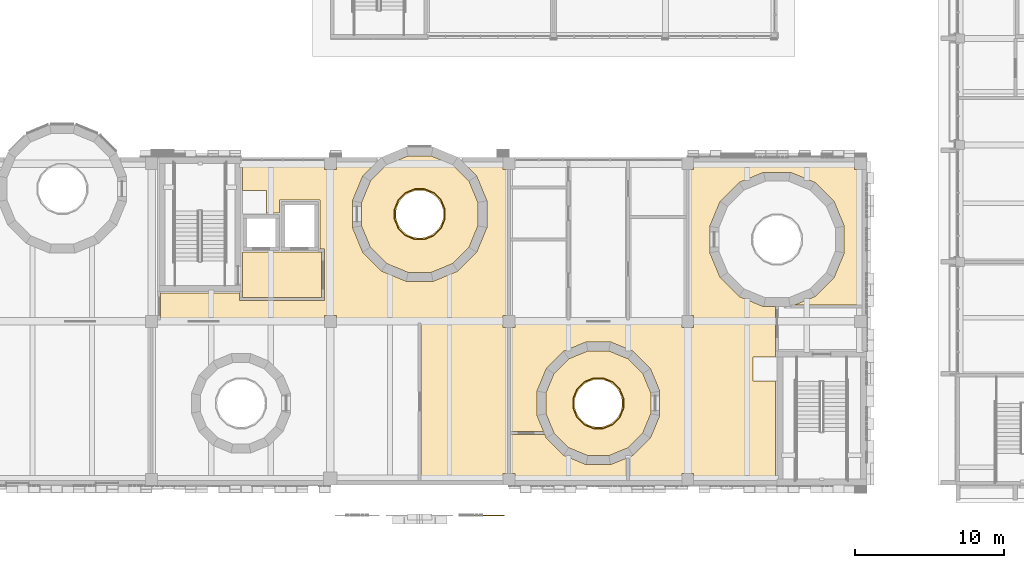
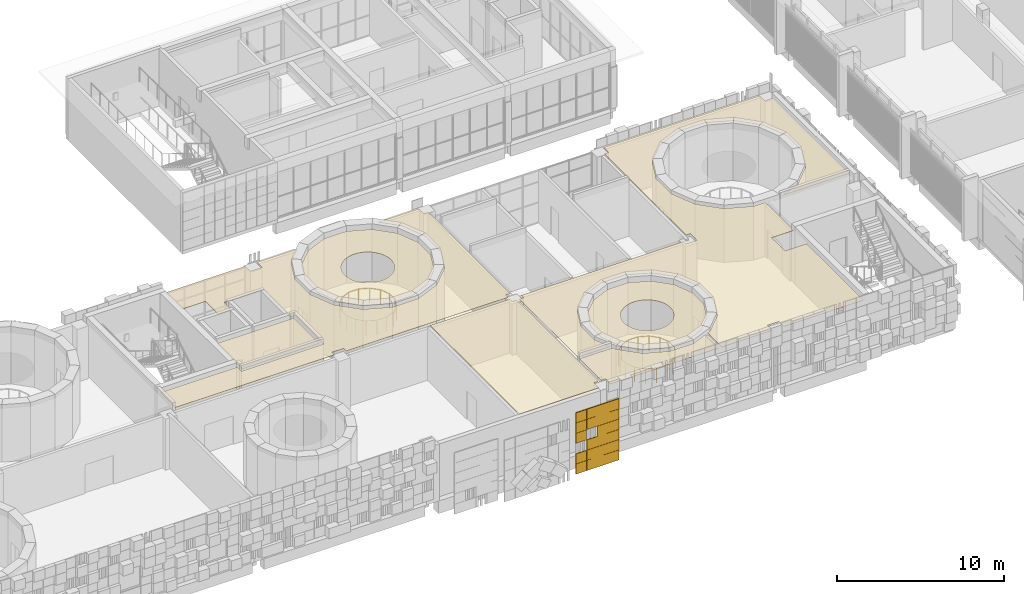
# One storey, part 65 of 92: 8 coverings, 2 railings.
"""IFC4 building model written with IfcOpenShell, lengths in metres."""

from ifc_helpers import new_model, si_unit, direction, frame, origin, origin_2d, place, context, subcontext, project, spatial, polyline, rectangle, circle, outline, extrude, material, layer, layer_set, type_object, element, save


model = new_model("IFC4")

# Units and contexts
model_context = context("Model", 3, precision=1e-05, world=origin(), true_north=direction((0.0, 1.0)))
body_context = subcontext(model_context, "Body", "Model", "MODEL_VIEW")
ifc_project = project(units=[si_unit("LENGTHUNIT", "METRE"), si_unit("AREAUNIT", "SQUARE_METRE"), si_unit("VOLUMEUNIT", "CUBIC_METRE"), si_unit("PLANEANGLEUNIT", "RADIAN"), si_unit("MASSUNIT", "GRAM", prefix="KILO")], contexts=[model_context])

# Site, building, storey
site_placement = place(None, origin())
site = spatial("IfcSite", under=ifc_project, at=site_placement, CompositionType="ELEMENT")
building_placement = place(site_placement, origin())
building = spatial("IfcBuilding", under=site, at=building_placement, Name="Sun Court Science Centre", CompositionType="ELEMENT")
storey_placement = place(building_placement, frame((0.0, 0.0, 11.25)))
storey = spatial("IfcBuildingStorey", under=building, at=storey_placement, Name="L02", CompositionType="ELEMENT", Elevation=11.25)

# Coverings
ifc_material_1 = material(Name="Gypsum board")
ifc_layer_1 = layer(ifc_material_1, 0.030029296875)
ifc_layer_set_1 = layer_set([ifc_layer_1], Name="Gypsum board")
covering_type_1 = type_object("IfcCoveringType", Name="Ceiling suspended 600 module", PredefinedType="CEILING", material=ifc_layer_set_1)
covering_1_placement = place(storey_placement, frame((0.0, 0.0, 3.77001953125)))
element("IfcCovering", 1, at=covering_1_placement, inside=storey, type_object=covering_type_1, Name="L02-004 ceiling", PredefinedType="CEILING", context=body_context, shape_type="SweptSolid", body=[
    extrude(outline(polyline([(45.316162109375, 21.984130859375), (44.2158203125, 20.8837890625), (42.778076171875, 20.288330078125), (41.221923828125, 20.288330078125), (39.7841796875, 20.8837890625), (38.683837890625, 21.984130859375), (38.08837890625, 23.421875), (38.08837890625, 24.97802734375), (38.683837890625, 26.415771484375), (39.7841796875, 27.51611328125), (41.221923828125, 28.111572265625), (42.778076171875, 28.111572265625), (44.2158203125, 27.51611328125), (45.316162109375, 26.415771484375), (45.91162109375, 24.97802734375), (45.91162109375, 23.421875), (45.316162109375, 21.984130859375)]), holes=[polyline([(43.478271484375, 24.812255859375), (43.385498046875, 25.0), (43.269287109375, 25.174072265625), (43.13134765625, 25.331298828125), (42.97412109375, 25.469482421875), (42.800048828125, 25.585693359375), (42.6123046875, 25.67822265625), (42.4140625, 25.74560546875), (42.208740234375, 25.786376953125), (42.0, 25.800048828125), (41.791259765625, 25.786376953125), (41.5859375, 25.74560546875), (41.3876953125, 25.67822265625), (41.199951171875, 25.585693359375), (41.02587890625, 25.469482421875), (40.86865234375, 25.331298828125), (40.730712890625, 25.174072265625), (40.614501953125, 25.0), (40.521728515625, 24.812255859375), (40.45458984375, 24.614013671875), (40.413818359375, 24.40869140625), (40.39990234375, 24.199951171875), (40.413818359375, 23.9912109375), (40.45458984375, 23.785888671875), (40.521728515625, 23.587646484375), (40.614501953125, 23.39990234375), (40.730712890625, 23.22607421875), (40.86865234375, 23.068603515625), (41.02587890625, 22.9306640625), (41.199951171875, 22.814453125), (41.3876953125, 22.7216796875), (41.5859375, 22.654541015625), (41.791259765625, 22.61376953125), (42.0, 22.60009765625), (42.208740234375, 22.61376953125), (42.4140625, 22.654541015625), (42.6123046875, 22.7216796875), (42.800048828125, 22.814453125), (42.97412109375, 22.9306640625), (43.13134765625, 23.068603515625), (43.269287109375, 23.22607421875), (43.385498046875, 23.39990234375), (43.478271484375, 23.587646484375), (43.54541015625, 23.785888671875), (43.586181640625, 23.9912109375), (43.60009765625, 24.199951171875), (43.586181640625, 24.40869140625), (43.54541015625, 24.614013671875), (43.478271484375, 24.812255859375)])]), origin(), (0.0, 0.0, 1.0), 0.030029296875),
])
covering_2_placement = place(storey_placement, frame((0.0, 0.0, 3.77001953125)))
element("IfcCovering", 2, at=covering_2_placement, inside=storey, type_object=covering_type_1, Name="L02-005 ceiling", PredefinedType="CEILING", context=body_context, shape_type="SweptSolid", body=[
    extrude(outline(polyline([(56.9833984375, 9.506591796875), (55.993408203125, 8.5166015625), (54.699951171875, 7.980712890625), (53.300048828125, 7.980712890625), (52.006591796875, 8.5166015625), (51.0166015625, 9.506591796875), (50.480712890625, 10.800048828125), (50.480712890625, 12.199951171875), (51.0166015625, 13.493408203125), (52.006591796875, 14.4833984375), (53.300048828125, 15.019287109375), (54.699951171875, 15.019287109375), (55.993408203125, 14.4833984375), (56.9833984375, 13.493408203125), (57.519287109375, 12.199951171875), (57.519287109375, 10.800048828125), (56.9833984375, 9.506591796875)]), holes=[polyline([(55.478271484375, 12.1123046875), (55.385498046875, 12.300048828125), (55.269287109375, 12.47412109375), (55.13134765625, 12.63134765625), (54.97412109375, 12.769287109375), (54.800048828125, 12.885498046875), (54.6123046875, 12.978271484375), (54.4140625, 13.04541015625), (54.208740234375, 13.086181640625), (54.0, 13.10009765625), (53.791259765625, 13.086181640625), (53.5859375, 13.04541015625), (53.3876953125, 12.978271484375), (53.199951171875, 12.885498046875), (53.02587890625, 12.769287109375), (52.86865234375, 12.63134765625), (52.730712890625, 12.47412109375), (52.614501953125, 12.300048828125), (52.521728515625, 12.1123046875), (52.45458984375, 11.9140625), (52.413818359375, 11.708740234375), (52.39990234375, 11.5), (52.413818359375, 11.291259765625), (52.45458984375, 11.0859375), (52.521728515625, 10.8876953125), (52.614501953125, 10.699951171875), (52.730712890625, 10.52587890625), (52.86865234375, 10.36865234375), (53.02587890625, 10.230712890625), (53.199951171875, 10.114501953125), (53.3876953125, 10.021728515625), (53.5859375, 9.95458984375), (53.791259765625, 9.913818359375), (54.0, 9.89990234375), (54.208740234375, 9.913818359375), (54.4140625, 9.95458984375), (54.6123046875, 10.021728515625), (54.800048828125, 10.114501953125), (54.97412109375, 10.230712890625), (55.13134765625, 10.36865234375), (55.269287109375, 10.52587890625), (55.385498046875, 10.699951171875), (55.478271484375, 10.8876953125), (55.54541015625, 11.0859375), (55.586181640625, 11.291259765625), (55.60009765625, 11.5), (55.586181640625, 11.708740234375), (55.54541015625, 11.9140625), (55.478271484375, 12.1123046875)])]), origin(), (0.0, 0.0, 1.0), 0.030029296875),
])
covering_3_placement = place(storey_placement, frame((0.0, 0.0, 3.919921875)))
element("IfcCovering", 3, at=covering_3_placement, inside=storey, type_object=covering_type_1, Name="L02-017 ceiling", PredefinedType="CEILING", context=body_context, shape_type="SweptSolid", body=[
    extrude(outline(polyline([(42.10009765625, 6.199951171875), (42.10009765625, 16.89990234375), (47.60009765625, 16.89990234375), (47.60009765625, 16.60009765625), (47.89990234375, 16.60009765625), (47.89990234375, 6.800048828125), (47.60009765625, 6.800048828125), (47.60009765625, 6.199951171875), (42.10009765625, 6.199951171875)])), origin(), (0.0, 0.0, 1.0), 0.030029296875),
])
covering_4_placement = place(storey_placement, frame((0.0, 0.0, 3.919921875)))
element("IfcCovering", 4, at=covering_4_placement, inside=storey, type_object=covering_type_1, Name="L02-018 ceiling", PredefinedType="CEILING", context=body_context, shape_type="SweptSolid", body=[
    extrude(outline(polyline([(30.10009765625, 18.60009765625), (30.10009765625, 21.6474609375), (32.672607421875, 21.6474609375), (32.672607421875, 21.64990234375), (35.39990234375, 21.64990234375), (35.39990234375, 18.60009765625), (30.10009765625, 18.60009765625)])), origin(), (0.0, 0.0, 1.0), 0.030029296875),
])
covering_5_placement = place(storey_placement, frame((0.0, 0.0, 3.919921875)))
element("IfcCovering", 5, at=covering_5_placement, inside=storey, type_object=covering_type_1, Name="L02-019 ceiling", PredefinedType="CEILING", context=body_context, shape_type="SweptSolid", body=[
    extrude(outline(polyline([(39.219482421875, 27.800048828125), (38.17529296875, 26.755615234375), (37.48828125, 25.097412109375), (37.48828125, 23.302490234375), (38.17529296875, 21.644287109375), (39.4443359375, 20.375244140625), (41.1025390625, 19.6884765625), (42.8974609375, 19.6884765625), (44.5556640625, 20.375244140625), (45.82470703125, 21.644287109375), (46.51171875, 23.302490234375), (46.51171875, 25.097412109375), (45.82470703125, 26.755615234375), (44.780517578125, 27.800048828125), (47.60009765625, 27.800048828125), (47.60009765625, 27.199951171875), (47.89990234375, 27.199951171875), (47.89990234375, 17.39990234375), (47.60009765625, 17.39990234375), (47.60009765625, 17.10009765625), (36.39990234375, 17.10009765625), (36.39990234375, 17.39990234375), (35.60009765625, 17.39990234375), (35.60009765625, 17.10009765625), (24.60009765625, 17.10009765625), (24.60009765625, 18.89990234375), (29.89990234375, 18.89990234375), (29.89990234375, 18.39990234375), (35.60009765625, 18.39990234375), (35.60009765625, 21.85009765625), (35.300048828125, 21.85009765625), (35.300048828125, 25.14990234375), (32.60009765625, 25.14990234375), (32.60009765625, 24.2724609375), (31.699951171875, 24.2724609375), (31.699951171875, 25.800048828125), (30.10009765625, 25.800048828125), (30.10009765625, 27.800048828125), (35.60009765625, 27.800048828125), (35.60009765625, 27.199951171875), (36.39990234375, 27.199951171875), (36.39990234375, 27.800048828125), (39.219482421875, 27.800048828125)])), origin(), (0.0, 0.0, 1.0), 0.030029296875),
])
covering_6_placement = place(storey_placement, frame((0.0, 0.0, 3.919921875)))
element("IfcCovering", 6, at=covering_6_placement, inside=storey, type_object=covering_type_1, Name="L02-026 ceiling", PredefinedType="CEILING", context=body_context, shape_type="SweptSolid", body=[
    extrude(outline(polyline([(71.800048828125, 27.199951171875), (71.800048828125, 18.10009765625), (67.1669921875, 18.10009765625), (68.5556640625, 18.67529296875), (69.82470703125, 19.9443359375), (70.51171875, 21.6025390625), (70.51171875, 23.3974609375), (69.82470703125, 25.0556640625), (68.5556640625, 26.32470703125), (66.8974609375, 27.01171875), (65.1025390625, 27.01171875), (63.4443359375, 26.32470703125), (62.17529296875, 25.0556640625), (61.48828125, 23.3974609375), (61.48828125, 21.6025390625), (62.17529296875, 19.9443359375), (63.4443359375, 18.67529296875), (65.1025390625, 17.98828125), (65.89990234375, 17.98828125), (65.89990234375, 14.60009765625), (64.39990234375, 14.60009765625), (64.39990234375, 13.0), (65.89990234375, 13.0), (65.89990234375, 6.199951171875), (60.39990234375, 6.199951171875), (60.39990234375, 6.800048828125), (59.60009765625, 6.800048828125), (59.60009765625, 6.199951171875), (56.10009765625, 6.199951171875), (56.10009765625, 7.9111328125), (56.33349609375, 8.0078125), (57.4921875, 9.16650390625), (58.119384765625, 10.6806640625), (58.119384765625, 12.3193359375), (57.4921875, 13.83349609375), (56.33349609375, 14.9921875), (54.8193359375, 15.619384765625), (53.1806640625, 15.619384765625), (51.66650390625, 14.9921875), (50.5078125, 13.83349609375), (49.880615234375, 12.3193359375), (49.880615234375, 10.6806640625), (50.328369140625, 9.60009765625), (48.10009765625, 9.60009765625), (48.10009765625, 16.60009765625), (48.39990234375, 16.60009765625), (48.39990234375, 16.89990234375), (59.60009765625, 16.89990234375), (59.60009765625, 16.60009765625), (60.39990234375, 16.60009765625), (60.39990234375, 17.39990234375), (60.10009765625, 17.39990234375), (60.10009765625, 27.199951171875), (60.39990234375, 27.199951171875), (60.39990234375, 27.800048828125), (71.199951171875, 27.800048828125), (71.199951171875, 27.199951171875), (71.800048828125, 27.199951171875)])), origin(), (0.0, 0.0, 1.0), 0.030029296875),
])
covering_7_placement = place(storey_placement, frame((0.0, 0.0, 3.919921875)))
element("IfcCovering", 7, at=covering_7_placement, inside=storey, type_object=covering_type_1, Name="L02-027 ceiling", PredefinedType="CEILING", context=body_context, shape_type="SweptSolid", body=[
    extrude(outline(polyline([(48.10009765625, 6.800048828125), (48.10009765625, 9.39990234375), (50.4111328125, 9.39990234375), (50.5078125, 9.16650390625), (51.66650390625, 8.0078125), (53.1806640625, 7.380615234375), (54.8193359375, 7.380615234375), (55.89990234375, 7.828369140625), (55.89990234375, 6.199951171875), (48.39990234375, 6.199951171875), (48.39990234375, 6.800048828125), (48.10009765625, 6.800048828125)])), origin(), (0.0, 0.0, 1.0), 0.030029296875),
])

# Railings
ifc_material_2 = material(Name="Steel S275", Category="steel")
railing_type = type_object("IfcRailingType", Name="Guard 1100 well balustrade", PredefinedType="GUARDRAIL", material=ifc_material_2)
railing_1_placement = place(storey_placement, frame((43.68701171875, 24.53564453125, 0.0)))
element("IfcRailing", 8, at=railing_1_placement, inside=storey, type_object=railing_type, Name="C4 well guard L02", PredefinedType="GUARDRAIL", context=body_context, shape_type="SweptSolid", body=[
    extrude(circle(Radius=0.02392578125, at=origin_2d()), frame((0.0, 0.0, 1.076171875), z_axis=(-0.382780256271, 0.923839420792, 0.0), x_axis=(-0.923839420792, -0.382780256271, 0.0)), (0.0, 0.0, 1.0), 0.6708984375),
    extrude(circle(Radius=0.02392578125, at=origin_2d()), frame((-0.2568359375, 0.619873046875, 1.076171875), z_axis=(-0.707106781187, 0.707106781187, 0.0), x_axis=(-0.707106781187, -0.707106781187, 0.0)), (0.0, 0.0, 1.0), 0.671142578125),
    extrude(circle(Radius=0.02392578125, at=origin_2d()), frame((-0.7314453125, 1.094482421875, 1.076171875), z_axis=(-0.923892706888, 0.382651625058, 0.0), x_axis=(-0.382651625058, -0.923892706888, 0.0)), (0.0, 0.0, 1.0), 0.671142578125),
    extrude(circle(Radius=0.02392578125, at=origin_2d()), frame((-1.3515625, 1.351318359375, 1.076171875), z_axis=(-1.0, 0.0, 0.0), x_axis=(0.0, -1.0, 0.0)), (0.0, 0.0, 1.0), 0.6708984375),
    extrude(circle(Radius=0.02392578125, at=origin_2d()), frame((-2.0224609375, 1.351318359375, 1.076171875), z_axis=(-0.923892706888, -0.382651625058, 0.0), x_axis=(0.382651625058, -0.923892706888, 0.0)), (0.0, 0.0, 1.0), 0.671142578125),
    extrude(circle(Radius=0.02392578125, at=origin_2d()), frame((-2.642578125, 1.094482421875, 1.076171875), z_axis=(-0.707106781187, -0.707106781187, 0.0), x_axis=(0.707106781187, -0.707106781187, 0.0)), (0.0, 0.0, 1.0), 0.671142578125),
    extrude(circle(Radius=0.02392578125, at=origin_2d()), frame((-3.1171875, 0.619873046875, 1.076171875), z_axis=(-0.382780256271, -0.923839420792, 0.0), x_axis=(0.923839420792, -0.382780256271, 0.0)), (0.0, 0.0, 1.0), 0.6708984375),
    extrude(circle(Radius=0.02392578125, at=origin_2d()), frame((-3.3740234375, 0.0, 1.076171875), z_axis=(0.0, -1.0, 0.0), x_axis=(1.0, 0.0, 0.0)), (0.0, 0.0, 1.0), 0.671142578125),
    extrude(circle(Radius=0.02392578125, at=origin_2d()), frame((-3.3740234375, -0.671142578125, 1.076171875), z_axis=(0.382651625058, -0.923892706888, 0.0), x_axis=(0.923892706888, 0.382651625058, 0.0)), (0.0, 0.0, 1.0), 0.671142578125),
    extrude(circle(Radius=0.02392578125, at=origin_2d()), frame((-3.1171875, -1.291259765625, 1.076171875), z_axis=(0.707106781187, -0.707106781187, 0.0), x_axis=(0.707106781187, 0.707106781187, 0.0)), (0.0, 0.0, 1.0), 0.671142578125),
    extrude(circle(Radius=0.02392578125, at=origin_2d()), frame((-2.642578125, -1.765869140625, 1.076171875), z_axis=(0.923892706888, -0.382651625058, 0.0), x_axis=(0.382651625058, 0.923892706888, 0.0)), (0.0, 0.0, 1.0), 0.671142578125),
    extrude(circle(Radius=0.02392578125, at=origin_2d()), frame((-2.0224609375, -2.022705078125, 1.076171875), z_axis=(1.0, 0.0, 0.0), x_axis=(0.0, 1.0, 0.0)), (0.0, 0.0, 1.0), 0.6708984375),
    extrude(circle(Radius=0.02392578125, at=origin_2d()), frame((-1.3515625, -2.022705078125, 1.076171875), z_axis=(0.923892706888, 0.382651625058, 0.0), x_axis=(-0.382651625058, 0.923892706888, 0.0)), (0.0, 0.0, 1.0), 0.671142578125),
    extrude(circle(Radius=0.02392578125, at=origin_2d()), frame((-0.7314453125, -1.765869140625, 1.076171875), z_axis=(0.707106781187, 0.707106781187, 0.0), x_axis=(-0.707106781187, 0.707106781187, 0.0)), (0.0, 0.0, 1.0), 0.671142578125),
    extrude(circle(Radius=0.02392578125, at=origin_2d()), frame((-0.2568359375, -1.291259765625, 1.076171875), z_axis=(0.382651625058, 0.923892706888, 0.0), x_axis=(-0.923892706888, 0.382651625058, 0.0)), (0.0, 0.0, 1.0), 0.671142578125),
    extrude(circle(Radius=0.02392578125, at=origin_2d()), frame((0.0, -0.671142578125, 1.076171875), z_axis=(0.0, 1.0, 0.0), x_axis=(-1.0, 0.0, 0.0)), (0.0, 0.0, 1.0), 0.671142578125),
    extrude(circle(Radius=0.02099609375, at=origin_2d()), origin(), (0.0, 0.0, 1.0), 1.052001953125),
    extrude(circle(Radius=0.02099609375, at=origin_2d()), frame((-0.2568359375, 0.619873046875, 0.0)), (0.0, 0.0, 1.0), 1.052001953125),
    extrude(circle(Radius=0.02099609375, at=origin_2d()), frame((-0.7314453125, 1.094482421875, 0.0)), (0.0, 0.0, 1.0), 1.052001953125),
    extrude(circle(Radius=0.02099609375, at=origin_2d()), frame((-1.3515625, 1.351318359375, 0.0)), (0.0, 0.0, 1.0), 1.052001953125),
    extrude(circle(Radius=0.02099609375, at=origin_2d()), frame((-2.0224609375, 1.351318359375, 0.0)), (0.0, 0.0, 1.0), 1.052001953125),
    extrude(circle(Radius=0.02099609375, at=origin_2d()), frame((-2.642578125, 1.094482421875, 0.0)), (0.0, 0.0, 1.0), 1.052001953125),
    extrude(circle(Radius=0.02099609375, at=origin_2d()), frame((-3.1171875, 0.619873046875, 0.0)), (0.0, 0.0, 1.0), 1.052001953125),
    extrude(circle(Radius=0.02099609375, at=origin_2d()), frame((-3.3740234375, 0.0, 0.0)), (0.0, 0.0, 1.0), 1.052001953125),
    extrude(circle(Radius=0.02099609375, at=origin_2d()), frame((-3.3740234375, -0.671142578125, 0.0)), (0.0, 0.0, 1.0), 1.052001953125),
    extrude(circle(Radius=0.02099609375, at=origin_2d()), frame((-3.1171875, -1.291259765625, 0.0)), (0.0, 0.0, 1.0), 1.052001953125),
    extrude(circle(Radius=0.02099609375, at=origin_2d()), frame((-2.642578125, -1.765869140625, 0.0)), (0.0, 0.0, 1.0), 1.052001953125),
    extrude(circle(Radius=0.02099609375, at=origin_2d()), frame((-2.0224609375, -2.022705078125, 0.0)), (0.0, 0.0, 1.0), 1.052001953125),
    extrude(circle(Radius=0.02099609375, at=origin_2d()), frame((-1.3515625, -2.022705078125, 0.0)), (0.0, 0.0, 1.0), 1.052001953125),
    extrude(circle(Radius=0.02099609375, at=origin_2d()), frame((-0.7314453125, -1.765869140625, 0.0)), (0.0, 0.0, 1.0), 1.052001953125),
    extrude(circle(Radius=0.02099609375, at=origin_2d()), frame((-0.2568359375, -1.291259765625, 0.0)), (0.0, 0.0, 1.0), 1.052001953125),
    extrude(circle(Radius=0.02099609375, at=origin_2d()), frame((0.0, -0.671142578125, 0.0)), (0.0, 0.0, 1.0), 1.052001953125),
])
railing_2_placement = place(storey_placement, frame((55.68701171875, 11.83544921875, 0.0)))
element("IfcRailing", 9, at=railing_2_placement, inside=storey, type_object=railing_type, Name="C5 well guard L02", PredefinedType="GUARDRAIL", context=body_context, shape_type="SweptSolid", body=[
    extrude(circle(Radius=0.02392578125, at=origin_2d()), frame((0.0, 0.0, 1.076171875), z_axis=(-0.382651625058, 0.923892706888, 0.0), x_axis=(-0.923892706888, -0.382651625058, 0.0)), (0.0, 0.0, 1.0), 0.671142578125),
    extrude(circle(Radius=0.02392578125, at=origin_2d()), frame((-0.2568359375, 0.6201171875, 1.076171875), z_axis=(-0.707106781187, 0.707106781187, 0.0), x_axis=(-0.707106781187, -0.707106781187, 0.0)), (0.0, 0.0, 1.0), 0.671142578125),
    extrude(circle(Radius=0.02392578125, at=origin_2d()), frame((-0.7314453125, 1.0947265625, 1.076171875), z_axis=(-0.923892706888, 0.382651625058, 0.0), x_axis=(-0.382651625058, -0.923892706888, 0.0)), (0.0, 0.0, 1.0), 0.671142578125),
    extrude(circle(Radius=0.02392578125, at=origin_2d()), frame((-1.3515625, 1.3515625, 1.076171875), z_axis=(-1.0, 0.0, 0.0), x_axis=(0.0, -1.0, 0.0)), (0.0, 0.0, 1.0), 0.6708984375),
    extrude(circle(Radius=0.02392578125, at=origin_2d()), frame((-2.0224609375, 1.3515625, 1.076171875), z_axis=(-0.923892706888, -0.382651625058, 0.0), x_axis=(0.382651625058, -0.923892706888, 0.0)), (0.0, 0.0, 1.0), 0.671142578125),
    extrude(circle(Radius=0.02392578125, at=origin_2d()), frame((-2.642578125, 1.0947265625, 1.076171875), z_axis=(-0.707106781187, -0.707106781187, 0.0), x_axis=(0.707106781187, -0.707106781187, 0.0)), (0.0, 0.0, 1.0), 0.671142578125),
    extrude(circle(Radius=0.02392578125, at=origin_2d()), frame((-3.1171875, 0.6201171875, 1.076171875), z_axis=(-0.382651625058, -0.923892706888, 0.0), x_axis=(0.923892706888, -0.382651625058, 0.0)), (0.0, 0.0, 1.0), 0.671142578125),
    extrude(circle(Radius=0.02392578125, at=origin_2d()), frame((-3.3740234375, 0.0, 1.076171875), z_axis=(0.0, -1.0, 0.0), x_axis=(1.0, 0.0, 0.0)), (0.0, 0.0, 1.0), 0.6708984375),
    extrude(circle(Radius=0.02392578125, at=origin_2d()), frame((-3.3740234375, -0.6708984375, 1.076171875), z_axis=(0.382651625058, -0.923892706888, 0.0), x_axis=(0.923892706888, 0.382651625058, 0.0)), (0.0, 0.0, 1.0), 0.671142578125),
    extrude(circle(Radius=0.02392578125, at=origin_2d()), frame((-3.1171875, -1.291015625, 1.076171875), z_axis=(0.707106781187, -0.707106781187, 0.0), x_axis=(0.707106781187, 0.707106781187, 0.0)), (0.0, 0.0, 1.0), 0.671142578125),
    extrude(circle(Radius=0.02392578125, at=origin_2d()), frame((-2.642578125, -1.765625, 1.076171875), z_axis=(0.923892706888, -0.382651625058, 0.0), x_axis=(0.382651625058, 0.923892706888, 0.0)), (0.0, 0.0, 1.0), 0.671142578125),
    extrude(circle(Radius=0.02392578125, at=origin_2d()), frame((-2.0224609375, -2.0224609375, 1.076171875), z_axis=(1.0, 0.0, 0.0), x_axis=(0.0, 1.0, 0.0)), (0.0, 0.0, 1.0), 0.6708984375),
    extrude(circle(Radius=0.02392578125, at=origin_2d()), frame((-1.3515625, -2.0224609375, 1.076171875), z_axis=(0.923892706888, 0.382651625058, 0.0), x_axis=(-0.382651625058, 0.923892706888, 0.0)), (0.0, 0.0, 1.0), 0.671142578125),
    extrude(circle(Radius=0.02392578125, at=origin_2d()), frame((-0.7314453125, -1.765625, 1.076171875), z_axis=(0.707106781187, 0.707106781187, 0.0), x_axis=(-0.707106781187, 0.707106781187, 0.0)), (0.0, 0.0, 1.0), 0.671142578125),
    extrude(circle(Radius=0.02392578125, at=origin_2d()), frame((-0.2568359375, -1.291015625, 1.076171875), z_axis=(0.382651625058, 0.923892706888, 0.0), x_axis=(-0.923892706888, 0.382651625058, 0.0)), (0.0, 0.0, 1.0), 0.671142578125),
    extrude(circle(Radius=0.02392578125, at=origin_2d()), frame((0.0, -0.6708984375, 1.076171875), z_axis=(0.0, 1.0, 0.0), x_axis=(-1.0, 0.0, 0.0)), (0.0, 0.0, 1.0), 0.6708984375),
    extrude(circle(Radius=0.02099609375, at=origin_2d()), origin(), (0.0, 0.0, 1.0), 1.052001953125),
    extrude(circle(Radius=0.02099609375, at=origin_2d()), frame((-0.2568359375, 0.6201171875, 0.0)), (0.0, 0.0, 1.0), 1.052001953125),
    extrude(circle(Radius=0.02099609375, at=origin_2d()), frame((-0.7314453125, 1.0947265625, 0.0)), (0.0, 0.0, 1.0), 1.052001953125),
    extrude(circle(Radius=0.02099609375, at=origin_2d()), frame((-1.3515625, 1.3515625, 0.0)), (0.0, 0.0, 1.0), 1.052001953125),
    extrude(circle(Radius=0.02099609375, at=origin_2d()), frame((-2.0224609375, 1.3515625, 0.0)), (0.0, 0.0, 1.0), 1.052001953125),
    extrude(circle(Radius=0.02099609375, at=origin_2d()), frame((-2.642578125, 1.0947265625, 0.0)), (0.0, 0.0, 1.0), 1.052001953125),
    extrude(circle(Radius=0.02099609375, at=origin_2d()), frame((-3.1171875, 0.6201171875, 0.0)), (0.0, 0.0, 1.0), 1.052001953125),
    extrude(circle(Radius=0.02099609375, at=origin_2d()), frame((-3.3740234375, 0.0, 0.0)), (0.0, 0.0, 1.0), 1.052001953125),
    extrude(circle(Radius=0.02099609375, at=origin_2d()), frame((-3.3740234375, -0.6708984375, 0.0)), (0.0, 0.0, 1.0), 1.052001953125),
    extrude(circle(Radius=0.02099609375, at=origin_2d()), frame((-3.1171875, -1.291015625, 0.0)), (0.0, 0.0, 1.0), 1.052001953125),
    extrude(circle(Radius=0.02099609375, at=origin_2d()), frame((-2.642578125, -1.765625, 0.0)), (0.0, 0.0, 1.0), 1.052001953125),
    extrude(circle(Radius=0.02099609375, at=origin_2d()), frame((-2.0224609375, -2.0224609375, 0.0)), (0.0, 0.0, 1.0), 1.052001953125),
    extrude(circle(Radius=0.02099609375, at=origin_2d()), frame((-1.3515625, -2.0224609375, 0.0)), (0.0, 0.0, 1.0), 1.052001953125),
    extrude(circle(Radius=0.02099609375, at=origin_2d()), frame((-0.7314453125, -1.765625, 0.0)), (0.0, 0.0, 1.0), 1.052001953125),
    extrude(circle(Radius=0.02099609375, at=origin_2d()), frame((-0.2568359375, -1.291015625, 0.0)), (0.0, 0.0, 1.0), 1.052001953125),
    extrude(circle(Radius=0.02099609375, at=origin_2d()), frame((0.0, -0.6708984375, 0.0)), (0.0, 0.0, 1.0), 1.052001953125),
])

# Covering
ifc_material_3 = material(Name="Red sandstone", Category="masonry")
ifc_layer_2 = layer(ifc_material_3, 0.06005859375)
ifc_layer_set_2 = layer_set([ifc_layer_2], Name="Red sandstone")
covering_type_2 = type_object("IfcCoveringType", Name="Red sandstone wall cladding 750", PredefinedType="CLADDING", material=ifc_layer_set_2)
covering_8_placement = place(storey_placement, frame((0.0, 0.0, -11.25)))
element("IfcCovering", 10, at=covering_8_placement, inside=storey, type_object=covering_type_2, Name="Red sandstone wall cladding portal-PORTAL-R L02", PredefinedType="CLADDING", context=body_context, shape_type="SweptSolid", body=[
    extrude(rectangle(XDim=0.739990234375, YDim=0.06005859375, at=origin_2d()), frame((47.324951171875, 3.969970703125, 11.2548828125), z_axis=(0.0, 0.0, 1.0), x_axis=(-1.0, 0.0, 0.0)), (0.0, 0.0, 1.0), 0.739990234375),
    extrude(rectangle(XDim=0.739990234375, YDim=0.06005859375, at=origin_2d()), frame((46.574951171875, 3.969970703125, 11.2548828125), z_axis=(0.0, 0.0, 1.0), x_axis=(-1.0, 0.0, 0.0)), (0.0, 0.0, 1.0), 0.739990234375),
    extrude(rectangle(XDim=0.739990234375, YDim=0.06005859375, at=origin_2d()), frame((45.824951171875, 3.969970703125, 11.2548828125), z_axis=(0.0, 0.0, 1.0), x_axis=(-1.0, 0.0, 0.0)), (0.0, 0.0, 1.0), 0.739990234375),
    extrude(rectangle(XDim=0.739990234375, YDim=0.06005859375, at=origin_2d()), frame((45.074951171875, 3.969970703125, 11.2548828125), z_axis=(0.0, 0.0, 1.0), x_axis=(-1.0, 0.0, 0.0)), (0.0, 0.0, 1.0), 0.739990234375),
    extrude(rectangle(XDim=0.739990234375, YDim=0.06005859375, at=origin_2d()), frame((47.324951171875, 3.969970703125, 12.0048828125), z_axis=(0.0, 0.0, 1.0), x_axis=(-1.0, 0.0, 0.0)), (0.0, 0.0, 1.0), 0.739990234375),
    extrude(rectangle(XDim=0.739990234375, YDim=0.06005859375, at=origin_2d()), frame((46.574951171875, 3.969970703125, 12.0048828125), z_axis=(0.0, 0.0, 1.0), x_axis=(-1.0, 0.0, 0.0)), (0.0, 0.0, 1.0), 0.739990234375),
    extrude(rectangle(XDim=0.739990234375, YDim=0.06005859375, at=origin_2d()), frame((45.824951171875, 3.969970703125, 12.0048828125), z_axis=(0.0, 0.0, 1.0), x_axis=(-1.0, 0.0, 0.0)), (0.0, 0.0, 1.0), 0.739990234375),
    extrude(rectangle(XDim=0.739990234375, YDim=0.06005859375, at=origin_2d()), frame((45.074951171875, 3.969970703125, 12.0048828125), z_axis=(0.0, 0.0, 1.0), x_axis=(-1.0, 0.0, 0.0)), (0.0, 0.0, 1.0), 0.739990234375),
    extrude(rectangle(XDim=0.739990234375, YDim=0.06005859375, at=origin_2d()), frame((47.324951171875, 3.969970703125, 12.7548828125), z_axis=(0.0, 0.0, 1.0), x_axis=(-1.0, 0.0, 0.0)), (0.0, 0.0, 1.0), 0.739990234375),
    extrude(rectangle(XDim=0.739990234375, YDim=0.06005859375, at=origin_2d()), frame((46.574951171875, 3.969970703125, 12.7548828125), z_axis=(0.0, 0.0, 1.0), x_axis=(-1.0, 0.0, 0.0)), (0.0, 0.0, 1.0), 0.739990234375),
    extrude(rectangle(XDim=0.739990234375, YDim=0.06005859375, at=origin_2d()), frame((45.824951171875, 3.969970703125, 12.7548828125), z_axis=(0.0, 0.0, 1.0), x_axis=(-1.0, 0.0, 0.0)), (0.0, 0.0, 1.0), 0.739990234375),
    extrude(rectangle(XDim=0.739990234375, YDim=0.06005859375, at=origin_2d()), frame((47.324951171875, 3.969970703125, 13.5048828125), z_axis=(0.0, 0.0, 1.0), x_axis=(-1.0, 0.0, 0.0)), (0.0, 0.0, 1.0), 0.739990234375),
    extrude(rectangle(XDim=0.739990234375, YDim=0.06005859375, at=origin_2d()), frame((46.574951171875, 3.969970703125, 13.5048828125), z_axis=(0.0, 0.0, 1.0), x_axis=(-1.0, 0.0, 0.0)), (0.0, 0.0, 1.0), 0.739990234375),
    extrude(rectangle(XDim=0.739990234375, YDim=0.06005859375, at=origin_2d()), frame((45.074951171875, 3.969970703125, 13.5048828125), z_axis=(0.0, 0.0, 1.0), x_axis=(-1.0, 0.0, 0.0)), (0.0, 0.0, 1.0), 0.739990234375),
    extrude(rectangle(XDim=0.739990234375, YDim=0.06005859375, at=origin_2d()), frame((47.324951171875, 3.969970703125, 14.2548828125), z_axis=(0.0, 0.0, 1.0), x_axis=(-1.0, 0.0, 0.0)), (0.0, 0.0, 1.0), 0.739990234375),
    extrude(rectangle(XDim=0.739990234375, YDim=0.06005859375, at=origin_2d()), frame((46.574951171875, 3.969970703125, 14.2548828125), z_axis=(0.0, 0.0, 1.0), x_axis=(-1.0, 0.0, 0.0)), (0.0, 0.0, 1.0), 0.739990234375),
    extrude(rectangle(XDim=0.739990234375, YDim=0.06005859375, at=origin_2d()), frame((45.824951171875, 3.969970703125, 14.2548828125), z_axis=(0.0, 0.0, 1.0), x_axis=(-1.0, 0.0, 0.0)), (0.0, 0.0, 1.0), 0.739990234375),
    extrude(rectangle(XDim=0.739990234375, YDim=0.06005859375, at=origin_2d()), frame((45.074951171875, 3.969970703125, 14.2548828125), z_axis=(0.0, 0.0, 1.0), x_axis=(-1.0, 0.0, 0.0)), (0.0, 0.0, 1.0), 0.739990234375),
    extrude(rectangle(XDim=0.739990234375, YDim=0.06005859375, at=origin_2d()), frame((47.324951171875, 3.969970703125, 15.0048828125), z_axis=(0.0, 0.0, 1.0), x_axis=(-1.0, 0.0, 0.0)), (0.0, 0.0, 1.0), 0.739990234375),
    extrude(rectangle(XDim=0.739990234375, YDim=0.06005859375, at=origin_2d()), frame((46.574951171875, 3.969970703125, 15.0048828125), z_axis=(0.0, 0.0, 1.0), x_axis=(-1.0, 0.0, 0.0)), (0.0, 0.0, 1.0), 0.739990234375),
    extrude(rectangle(XDim=0.739990234375, YDim=0.06005859375, at=origin_2d()), frame((45.824951171875, 3.969970703125, 15.0048828125), z_axis=(0.0, 0.0, 1.0), x_axis=(-1.0, 0.0, 0.0)), (0.0, 0.0, 1.0), 0.739990234375),
    extrude(rectangle(XDim=0.739990234375, YDim=0.06005859375, at=origin_2d()), frame((45.074951171875, 3.969970703125, 15.0048828125), z_axis=(0.0, 0.0, 1.0), x_axis=(-1.0, 0.0, 0.0)), (0.0, 0.0, 1.0), 0.739990234375),
])

save(model, "model.ifc")
